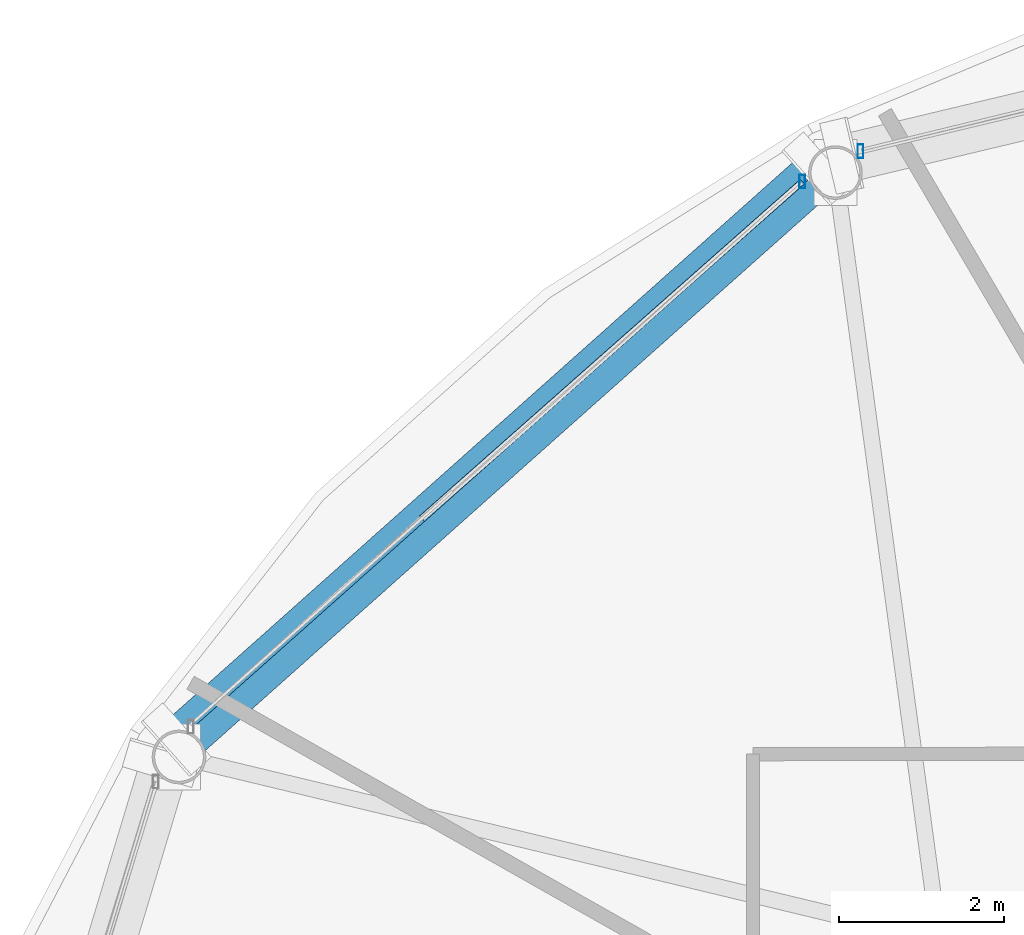
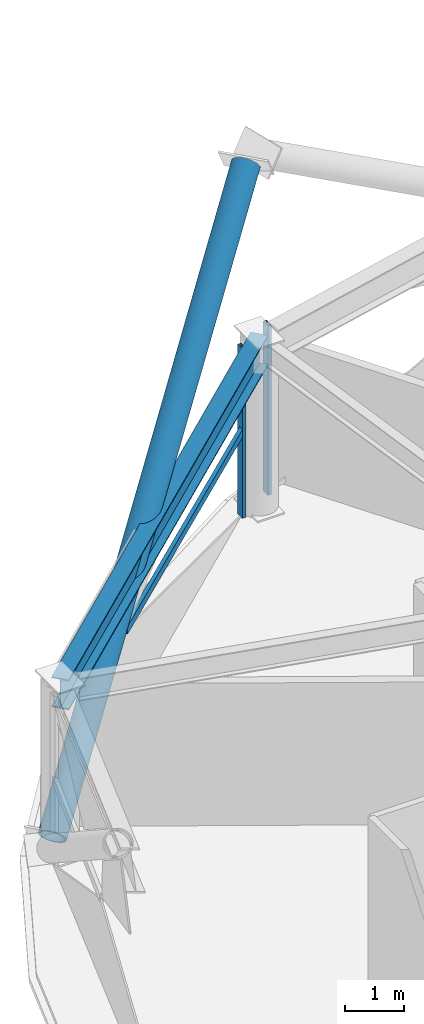
# One storey, part 16 of 29: 4 members, 1 beam, 2 elements without a shape of their own.
"""IFC4 building model written with IfcOpenShell, lengths in metres."""

import ifcopenshell
import ifcopenshell.guid

model = None  # the IFC model being written
_history = None  # IfcOwnerHistory: only IFC2X3 demands one
_inside = {}  # id of a spatial element -> (the spatial element, [elements in it])
_under = {}  # id of a project, library or spatial element -> (it, [spatial elements below it])
_declared = {}  # id of a project -> (the project, [libraries it declares])
_typed = {}  # id of a type object -> (the type object, [elements of that type])
_made_of = {}  # id of a material, layer set ... -> (it, [elements and type objects made of it])


def new_model(schema):
    """Start an empty IFC model of exactly this schema.

    Asked for "IFC4X3", IfcOpenShell would pick the latest addendum, in which some entities
    have other attributes; the version numbers below select the first issue.
    IFC2X3 requires an IfcOwnerHistory on every rooted entity: one is made here for all.
    """
    global model, _history
    if schema == "IFC4X3":
        model = ifcopenshell.file(schema_version=(4, 3, 0, 0))
    else:
        model = ifcopenshell.file(schema=schema)
    _inside.clear()
    _under.clear()
    _declared.clear()
    _typed.clear()
    _made_of.clear()
    _history = None
    if model.schema == "IFC2X3":
        org = make("IfcOrganization", Name="unknown")
        user = make(
            "IfcPersonAndOrganization",
            ThePerson=make("IfcPerson", FamilyName="unknown"),
            TheOrganization=org,
        )
        app = make(
            "IfcApplication",
            ApplicationDeveloper=org,
            Version="unknown",
            ApplicationFullName="unknown",
            ApplicationIdentifier="unknown",
        )
        _history = make(
            "IfcOwnerHistory",
            OwningUser=user,
            OwningApplication=app,
            ChangeAction="ADDED",
            CreationDate=0,
        )
    return model


def make(cls, **values):
    """One entity of the class cls with the attributes given. An attribute that is None is left unset."""
    return model.create_entity(
        cls, **{name: value for name, value in values.items() if value is not None}
    )


def rooted(cls, **values):
    """An entity with a GlobalId (a new one), such as an element, a storey or a relation."""
    return make(cls, GlobalId=ifcopenshell.guid.new(), OwnerHistory=_history, **values)


def si_unit(unit_type, name, prefix=None):
    """IfcSIUnit, for example si_unit("LENGTHUNIT", "METRE", prefix="MILLI")."""
    return make("IfcSIUnit", UnitType=unit_type, Prefix=prefix, Name=name)


def assignment(units):
    """IfcUnitAssignment: the units of a project."""
    return None if units is None else make("IfcUnitAssignment", Units=units)


def point(xyz):
    """IfcCartesianPoint."""
    return None if xyz is None else make("IfcCartesianPoint", Coordinates=xyz)


def direction(xyz):
    """IfcDirection."""
    return None if xyz is None else make("IfcDirection", DirectionRatios=xyz)


def frame(location, z_axis=None, x_axis=None):
    """IfcAxis2Placement3D, a coordinate frame: its origin and axes. An axis left out is left unset."""
    return make(
        "IfcAxis2Placement3D",
        Location=point(location),
        Axis=direction(z_axis),
        RefDirection=direction(x_axis),
    )


def frame_2d(location, x_axis=None):
    """IfcAxis2Placement2D, a coordinate frame in the plane: its origin and x axis."""
    return make(
        "IfcAxis2Placement2D", Location=point(location), RefDirection=direction(x_axis)
    )


def origin():
    """The frame at (0, 0, 0) with its axes left unset."""
    return frame((0.0, 0.0, 0.0))


def origin_2d():
    """The frame at (0, 0) in the plane with its x axis left unset."""
    return frame_2d((0.0, 0.0))


def place(relative_to, where):
    """IfcLocalPlacement: puts the frame where relative to a parent placement (None: the world)."""
    return make(
        "IfcLocalPlacement", PlacementRelTo=relative_to, RelativePlacement=where
    )


def context(
    kind, dimensions, precision=None, world=None, true_north=None, identifier=None
):
    """IfcGeometricRepresentationContext, for example the 3D "Model" context."""
    return make(
        "IfcGeometricRepresentationContext",
        ContextIdentifier=identifier,
        ContextType=kind,
        CoordinateSpaceDimension=dimensions,
        Precision=precision,
        WorldCoordinateSystem=world,
        TrueNorth=true_north,
    )


def subcontext(parent, identifier, kind, view, scale=None):
    """IfcGeometricRepresentationSubContext, for example "Body" below "Model"."""
    return make(
        "IfcGeometricRepresentationSubContext",
        ContextIdentifier=identifier,
        ContextType=kind,
        ParentContext=parent,
        TargetScale=scale,
        TargetView=view,
    )


def project(units=None, contexts=None):
    """IfcProject with its units and contexts."""
    return rooted(
        "IfcProject",
        Name="project",
        RepresentationContexts=contexts,
        UnitsInContext=assignment(units),
    )


def spatial(cls, under=None, at=None, **own):
    """A site, building, storey or space (cls), placed at a placement, below another one or the project."""
    s = rooted(cls, ObjectPlacement=at, **own)
    if under is not None:
        _under.setdefault(under.id(), (under, []))[1].append(s)
    return s


def profile(cls, at=None, kind="AREA", **sizes):
    """A parametric profile (cls). Its sizes go by their IFC names, for example OverallWidth=200.0."""
    return make(cls, ProfileType=kind, Position=at, **sizes)


def hollow_rectangle(**sizes):
    """IfcRectangleHollowProfileDef."""
    return profile("IfcRectangleHollowProfileDef", **sizes)


def hollow_circle(**sizes):
    """IfcCircleHollowProfileDef."""
    return profile("IfcCircleHollowProfileDef", **sizes)


def i_section(**sizes):
    """IfcIShapeProfileDef."""
    return profile("IfcIShapeProfileDef", **sizes)


def extrude(swept, where, along, depth):
    """IfcExtrudedAreaSolid: the profile swept, set in the frame where, extruded along a direction by depth."""
    return make(
        "IfcExtrudedAreaSolid",
        SweptArea=swept,
        Position=where,
        ExtrudedDirection=direction(along),
        Depth=depth,
    )


def shape(context_of_items, identifier, shape_type, items):
    """IfcShapeRepresentation: the items that make up one representation, for example the "Body"."""
    return make(
        "IfcShapeRepresentation",
        ContextOfItems=context_of_items,
        RepresentationIdentifier=identifier,
        RepresentationType=shape_type,
        Items=items,
    )


def material(Name=None, Category=None):
    """IfcMaterial."""
    return make("IfcMaterial", Name=Name, Category=Category)


def layer(
    of_material, thickness, ventilated=None, Name=None, Category=None, Priority=None
):
    """IfcMaterialLayer: one layer of a wall or slab, of a material (None: an air gap)."""
    return make(
        "IfcMaterialLayer",
        Material=of_material,
        LayerThickness=thickness,
        IsVentilated=ventilated,
        Name=Name,
        Category=Category,
        Priority=Priority,
    )


def layer_set(layers, Name=None):
    """IfcMaterialLayerSet."""
    return make("IfcMaterialLayerSet", MaterialLayers=layers, LayerSetName=Name)


def material_profile(
    of_material, cross_section, Name=None, Category=None, Priority=None
):
    """IfcMaterialProfile: a cross section and its material."""
    return make(
        "IfcMaterialProfile",
        Name=Name,
        Material=of_material,
        Profile=cross_section,
        Priority=Priority,
        Category=Category,
    )


def profile_set(profiles, Name=None, composite=None):
    """IfcMaterialProfileSet."""
    return make(
        "IfcMaterialProfileSet",
        Name=Name,
        MaterialProfiles=profiles,
        CompositeProfile=composite,
    )


def made_of(thing, what):
    """Note that an element or type object is made of a material, layer set ...; save() writes the relation."""
    if what is not None:
        _made_of.setdefault(what.id(), (what, []))[1].append(thing)
    return thing


def type_object(cls, material=None, **own):
    """A type object (cls), such as IfcWallType, which elements share."""
    return made_of(rooted(cls, **own), material)


def element(
    cls,
    number,
    at=None,
    inside=None,
    cuts=None,
    type_object=None,
    material=None,
    context=None,
    identifier="Body",
    shape_type=None,
    held_by="IfcProductDefinitionShape",
    body=None,
    shapes=None,
    **own,
):
    """One element of the class cls, such as IfcWall. Its Tag is "e" and its number.

    at: its placement. inside: the storey or other place that contains it. cuts: it is an
    opening in that element (IfcRelVoidsElement). A single representation is given by context,
    identifier, shape_type and body (its items); several are given by shapes. held_by: the class
    of the entity that holds the representations. save() writes the other relations.
    """
    e = rooted(cls, Tag="e%d" % number, ObjectPlacement=at, **own)
    if body is not None:
        shapes = [shape(context, identifier, shape_type, body)]
    if shapes is not None:
        e.Representation = make(held_by, Representations=shapes)
    if inside is not None:
        _inside.setdefault(inside.id(), (inside, []))[1].append(e)
    if cuts is not None:
        rooted(
            "IfcRelVoidsElement", RelatingBuildingElement=cuts, RelatedOpeningElement=e
        )
    if type_object is not None:
        _typed.setdefault(type_object.id(), (type_object, []))[1].append(e)
    return made_of(e, material)


def aggregate(whole, parts):
    """IfcRelAggregates: a whole, such as a stair, and the parts it consists of."""
    return rooted("IfcRelAggregates", RelatingObject=whole, RelatedObjects=parts)


def save(model, path):
    """Write the relations noted so far, then the file.

    IfcRelAggregates (storeys below a building ...), IfcRelContainedInSpatialStructure (elements
    in a storey), IfcRelDefinesByType, IfcRelAssociatesMaterial and IfcRelDeclares: one each for
    every whole, place, type object, material and project.
    """
    for whole, parts in _under.values():
        aggregate(whole, parts)
    for where, things in _inside.values():
        rooted(
            "IfcRelContainedInSpatialStructure",
            RelatedElements=things,
            RelatingStructure=where,
        )
    for kind, things in _typed.values():
        rooted("IfcRelDefinesByType", RelatedObjects=things, RelatingType=kind)
    for what, things in _made_of.values():
        rooted("IfcRelAssociatesMaterial", RelatedObjects=things, RelatingMaterial=what)
    for by, libraries in _declared.values():
        rooted("IfcRelDeclares", RelatingContext=by, RelatedDefinitions=libraries)
    model.write(path)


model = new_model("IFC4")

# Units and contexts
model_context = context("Model", 3, precision=1e-05, world=origin(), true_north=direction((0.0, 1.0)))
body_context = subcontext(model_context, "Body", "Model", "MODEL_VIEW")
ifc_project = project(units=[si_unit("LENGTHUNIT", "METRE"), si_unit("AREAUNIT", "SQUARE_METRE"), si_unit("VOLUMEUNIT", "CUBIC_METRE"), si_unit("PLANEANGLEUNIT", "RADIAN"), si_unit("MASSUNIT", "GRAM", prefix="KILO")], contexts=[model_context])

# Site, building, storey
site_placement = place(None, origin())
site = spatial("IfcSite", under=ifc_project, at=site_placement, CompositionType="ELEMENT")
building_placement = place(site_placement, origin())
building = spatial("IfcBuilding", under=site, at=building_placement, Name="Vantalir Tower", CompositionType="ELEMENT")
storey_placement = place(building_placement, frame((0.0, 0.0, 234.89990234375)))
storey = spatial("IfcBuildingStorey", under=building, at=storey_placement, Name="L59", CompositionType="ELEMENT", Elevation=234.89990234375)

# Beam
ifc_material_1 = material(Name="Steel S460", Category="steel")
ifc_material_profile_1 = material_profile(ifc_material_1, i_section(OverallWidth=0.306884765625, OverallDepth=0.6201171875, WebThickness=0.01416015625, FlangeThickness=0.023681640625, at=origin_2d()), Name="Steel S460")
ifc_profile_set_1 = profile_set([ifc_material_profile_1], Name="Steel S460")
beam_type = type_object("IfcBeamType", Name="BM-RG-610x305", PredefinedType="USERDEFINED", material=ifc_profile_set_1)
beam_placement = place(storey_placement, frame((20.64111328125, 41.742919921875, 3.260009765625), z_axis=(-0.746899058065, -0.664937438456, 0.0), x_axis=(0.664937438456, -0.746899058065, 0.0)))
element("IfcBeam", 1, at=beam_placement, inside=storey, type_object=beam_type, Name="L59 Circumferential Ring Girder 05", ObjectType="GIRDER", PredefinedType="USERDEFINED", context=body_context, shape_type="SweptSolid", body=[
    extrude(i_section(OverallWidth=0.306884765625, OverallDepth=0.6201171875, WebThickness=0.01416015625, FlangeThickness=0.023681640625, at=origin_2d()), origin(), (0.0, 0.0, 1.0), 10.64306640625),
])

# Curtain wall, member
ifc_material_2 = material(Name="Champagne-silver PVDF aluminium and double-silver Low-E glass", Category="aluminium")
ifc_layer = layer(ifc_material_2, 0.2099609375)
ifc_layer_set = layer_set([ifc_layer], Name="Champagne-silver PVDF aluminium and double-silver Low-E glass")
curtain_wall_type = type_object("IfcCurtainWallType", Name="CW-DIAMOND-Z3", PredefinedType="USERDEFINED", material=ifc_layer_set)
curtain_wall_1_placement = place(storey_placement, origin())
curtain_wall_1 = element("IfcCurtainWall", 2, at=curtain_wall_1_placement, inside=storey, type_object=curtain_wall_type, Name="L59 Quilted Pyramid-Diamond Curtain Wall S04", ObjectType="UNITISED CURTAIN WALL", PredefinedType="USERDEFINED")
ifc_material_3 = material(Name="Champagne-silver PVDF aluminium 6063-T6", Category="aluminium")
ifc_material_profile_2 = material_profile(ifc_material_3, hollow_rectangle(XDim=0.070068359375, YDim=0.1650390625, WallThickness=0.00390625, at=origin_2d()), Name="Champagne-silver PVDF aluminium 6063-T6")
ifc_profile_set_2 = profile_set([ifc_material_profile_2], Name="Champagne-silver PVDF aluminium 6063-T6")
member_type_1 = type_object("IfcMemberType", Name="CWM-165x70", PredefinedType="MULLION", material=ifc_profile_set_2)
member_1_placement = place(storey_placement, frame((20.945068359375, 42.001953125, 0.045166015625), z_axis=(0.0, 0.0, 1.0), x_axis=(1.0, 0.0, 0.0)))
member_1 = element("IfcMember", 3, at=member_1_placement, type_object=member_type_1, Name="CW-L59-S04 Mullion 2", PredefinedType="MULLION", context=body_context, shape_type="SweptSolid", body=[
    extrude(hollow_rectangle(XDim=0.070068359375, YDim=0.1650390625, WallThickness=0.00390625, at=origin_2d()), origin(), (0.0, 0.0, 1.0), 3.47998046875),
])
aggregate(curtain_wall_1, [member_1])

# Curtain wall, members
curtain_wall_2_placement = place(storey_placement, origin())
curtain_wall_2 = element("IfcCurtainWall", 4, at=curtain_wall_2_placement, inside=storey, type_object=curtain_wall_type, Name="L59 Quilted Pyramid-Diamond Curtain Wall S05", ObjectType="UNITISED CURTAIN WALL", PredefinedType="USERDEFINED")
member_2_placement = place(storey_placement, frame((20.239990234375, 41.634033203125, 0.045166015625), z_axis=(0.0, 0.0, 1.0), x_axis=(1.0, 0.0, 0.0)))
member_2 = element("IfcMember", 5, at=member_2_placement, type_object=member_type_1, Name="CW-L59-S05 Mullion 1", PredefinedType="MULLION", context=body_context, shape_type="SweptSolid", body=[
    extrude(hollow_rectangle(XDim=0.070068359375, YDim=0.1650390625, WallThickness=0.00390625, at=origin_2d()), origin(), (0.0, 0.0, 1.0), 3.47998046875),
])
ifc_material_profile_3 = material_profile(ifc_material_3, hollow_rectangle(XDim=0.074951171875, YDim=0.159912109375, WallThickness=0.00390625, at=origin_2d()), Name="Champagne-silver PVDF aluminium 6063-T6")
ifc_profile_set_3 = profile_set([ifc_material_profile_3], Name="Champagne-silver PVDF aluminium 6063-T6")
member_type_2 = type_object("IfcMemberType", Name="CWT-160x75", PredefinedType="USERDEFINED", material=ifc_profile_set_3)
member_3_placement = place(storey_placement, frame((20.239990234375, 41.634033203125, 1.78515625), z_axis=(-0.749148717244, -0.662401841371, 0.0), x_axis=(0.662401841371, -0.749148717244, 0.0)))
member_3 = element("IfcMember", 6, at=member_3_placement, type_object=member_type_2, Name="CW-L59-S05 Pyramid Fold Ridge Transom", ObjectType="TRANSOM", PredefinedType="USERDEFINED", context=body_context, shape_type="SweptSolid", body=[
    extrude(hollow_rectangle(XDim=0.074951171875, YDim=0.159912109375, WallThickness=0.00390625, at=origin_2d()), origin(), (0.0, 0.0, 1.0), 6.155029296875),
])
aggregate(curtain_wall_2, [member_2, member_3])

# Member
ifc_material_profile_4 = material_profile(ifc_material_1, hollow_circle(Radius=0.25, WallThickness=0.031982421875, at=origin_2d()), Name="Steel S460")
ifc_profile_set_4 = profile_set([ifc_material_profile_4], Name="Steel S460")
member_type_3 = type_object("IfcMemberType", Name="MEM-DB-500x32", PredefinedType="BRACE", material=ifc_profile_set_4)
member_4_placement = place(storey_placement, frame((12.6640625, 34.883056640625, 0.2021484375), z_axis=(0.621182231452, 0.553567496238, 0.554703220143), x_axis=(-0.66530694266, 0.746569937814, 0.0)))
element("IfcMember", 7, at=member_4_placement, inside=storey, type_object=member_type_3, Name="L59 Perimeter S460 Diagrid Brace R16R", PredefinedType="BRACE", context=body_context, shape_type="SweptSolid", body=[
    extrude(hollow_circle(Radius=0.25, WallThickness=0.031982421875, at=origin_2d()), origin(), (0.0, 0.0, 1.0), 12.468017578125),
])

save(model, "model.ifc")
